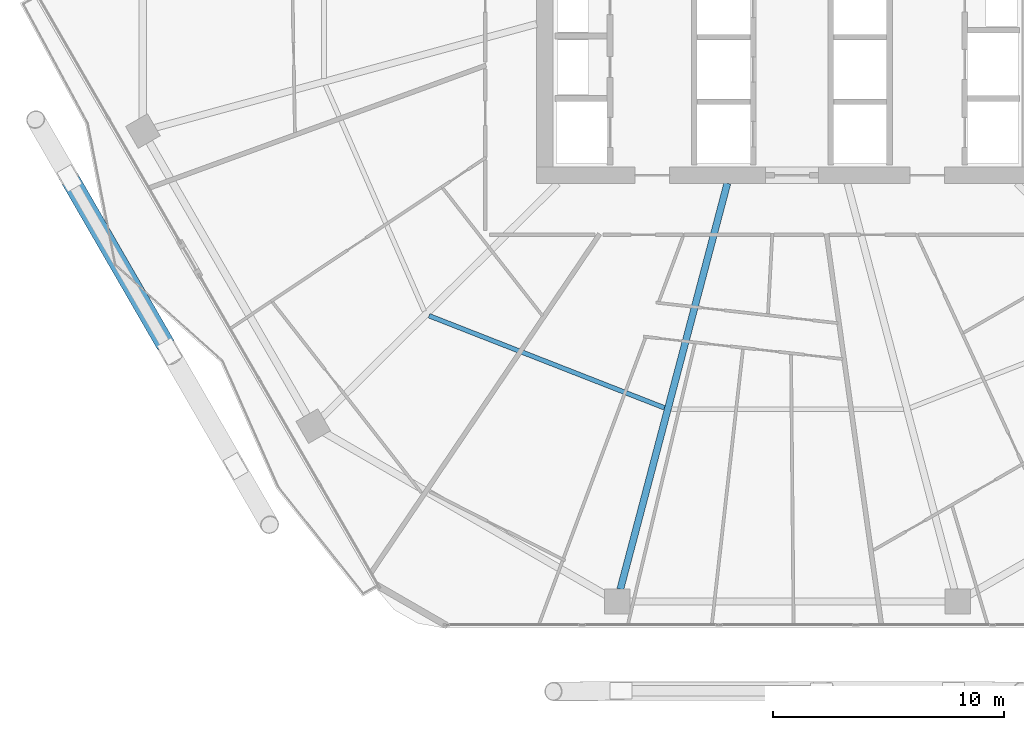
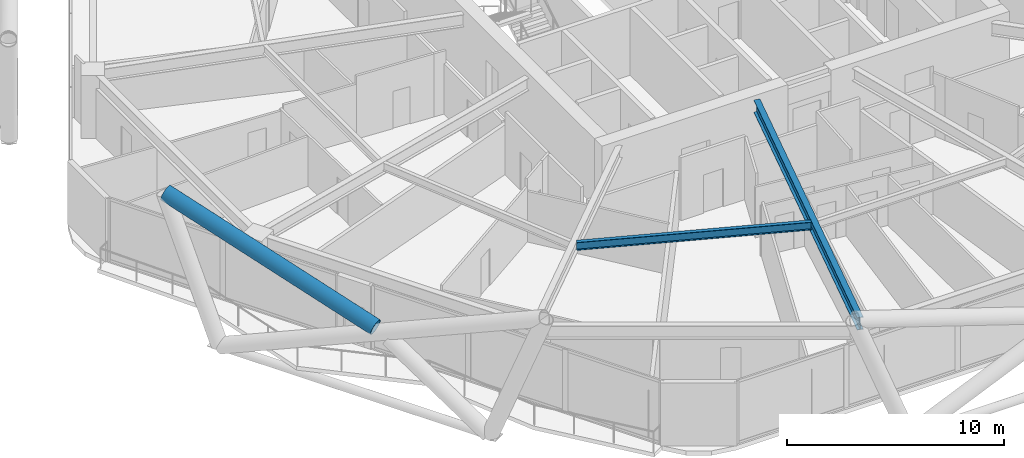
# One storey, part 4 of 34: 2 beams, 1 member.
"""IFC4 building model written with IfcOpenShell, lengths in metres."""

from ifc_helpers import new_model, si_unit, direction, frame, origin, origin_2d, place, context, subcontext, project, spatial, hollow_circle, i_section, extrude, material, material_profile, profile_set, type_object, element, save


model = new_model("IFC4")

# Units and contexts
model_context = context("Model", 3, precision=1e-05, world=origin(), true_north=direction((0.0, 1.0)))
body_context = subcontext(model_context, "Body", "Model", "MODEL_VIEW")
ifc_project = project(units=[si_unit("LENGTHUNIT", "METRE"), si_unit("AREAUNIT", "SQUARE_METRE"), si_unit("VOLUMEUNIT", "CUBIC_METRE"), si_unit("PLANEANGLEUNIT", "RADIAN"), si_unit("MASSUNIT", "GRAM", prefix="KILO")], contexts=[model_context])

# Site, building, storey
site_placement = place(None, origin())
site = spatial("IfcSite", under=ifc_project, at=site_placement, CompositionType="ELEMENT")
building_placement = place(site_placement, origin())
building = spatial("IfcBuilding", under=site, at=building_placement, Name="Zuhravey Tower", CompositionType="ELEMENT")
storey_placement = place(building_placement, frame((0.0, 0.0, 100.0)))
storey = spatial("IfcBuildingStorey", under=building, at=storey_placement, Name="L24", CompositionType="ELEMENT", Elevation=100.0)

# Member
ifc_material_1 = material(Name="Steel SM460", Category="steel")
ifc_material_profile_1 = material_profile(ifc_material_1, hollow_circle(Radius=0.406494140625, WallThickness=0.035888671875, at=origin_2d()), Name="CHS-812.8x36")
ifc_profile_set_1 = profile_set([ifc_material_profile_1], Name="Steel SM460")
member_type = type_object("IfcMemberType", Name="Exoskeleton Zone 1 Diagrid CHS813x36", PredefinedType="BRACE", material=ifc_profile_set_1)
member_placement = place(storey_placement, frame((9.078369140625, 15.192626953125, 3.459228515625), z_axis=(-0.475188029637, 0.823049078063, 0.311105370557), x_axis=(-0.866025211119, -0.500000333706, 0.0)))
element("IfcMember", 1, at=member_placement, inside=storey, type_object=member_type, Name="L24 Face 4 Split Diagrid Brace 3B", PredefinedType="BRACE", context=body_context, shape_type="SweptSolid", body=[
    extrude(hollow_circle(Radius=0.406494140625, WallThickness=0.035888671875, at=origin_2d()), origin(), (0.0, 0.0, 1.0), 11.763427734375),
])

# Beams
ifc_material_2 = material(Name="Steel SM355", Category="steel")
ifc_material_profile_2 = material_profile(ifc_material_2, i_section(OverallWidth=0.300048828125, OverallDepth=0.699951171875, WebThickness=0.012939453125, FlangeThickness=0.02392578125, at=origin_2d()), Name="H-700x300x13x24")
ifc_profile_set_2 = profile_set([ifc_material_profile_2], Name="Steel SM355")
beam_type_1 = type_object("IfcBeamType", Name="Radial Primary Girder H700x300", PredefinedType="BEAM", material=ifc_profile_set_2)
beam_1_placement = place(storey_placement, frame((33.40185546875, 22.14697265625, 3.199951171875), z_axis=(-0.25498755891, -0.966944333869, 0.0), x_axis=(0.966944333869, -0.25498755891, 0.0)))
element("IfcBeam", 2, at=beam_1_placement, inside=storey, type_object=beam_type_1, Name="L24 RG1 BM-L24-RAD-09", PredefinedType="BEAM", context=body_context, shape_type="SweptSolid", body=[
    extrude(i_section(OverallWidth=0.300048828125, OverallDepth=0.699951171875, WebThickness=0.012939453125, FlangeThickness=0.02392578125, at=origin_2d()), origin(), (0.0, 0.0, 1.0), 18.1611328125),
])
ifc_material_profile_3 = material_profile(ifc_material_2, i_section(OverallWidth=0.199951171875, OverallDepth=0.449951171875, WebThickness=0.009033203125, FlangeThickness=0.013916015625, at=origin_2d()), Name="H-450x200x9x14")
ifc_profile_set_3 = profile_set([ifc_material_profile_3], Name="Steel SM355")
beam_type_2 = type_object("IfcBeamType", Name="Secondary Floor Joist H450x200", PredefinedType="JOIST", material=ifc_profile_set_3)
beam_2_placement = place(storey_placement, frame((20.49462890625, 16.418701171875, 3.324951171875), z_axis=(0.931216764731, -0.364465824302, 0.0), x_axis=(0.364465824302, 0.931216764731, 0.0)))
element("IfcBeam", 3, at=beam_2_placement, inside=storey, type_object=beam_type_2, Name="L24 SJ1 BM-L24-SJ-08-1", PredefinedType="JOIST", context=body_context, shape_type="SweptSolid", body=[
    extrude(i_section(OverallWidth=0.199951171875, OverallDepth=0.449951171875, WebThickness=0.009033203125, FlangeThickness=0.013916015625, at=origin_2d()), origin(), (0.0, 0.0, 1.0), 10.939453125),
])

save(model, "model.ifc")
